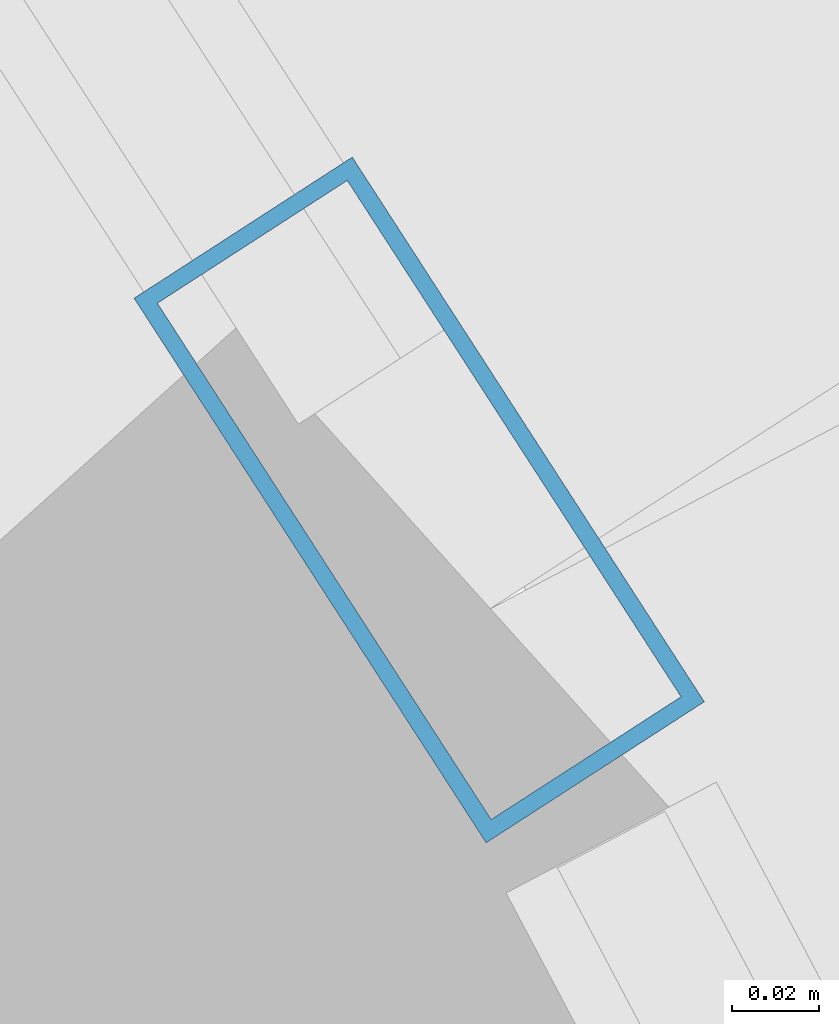
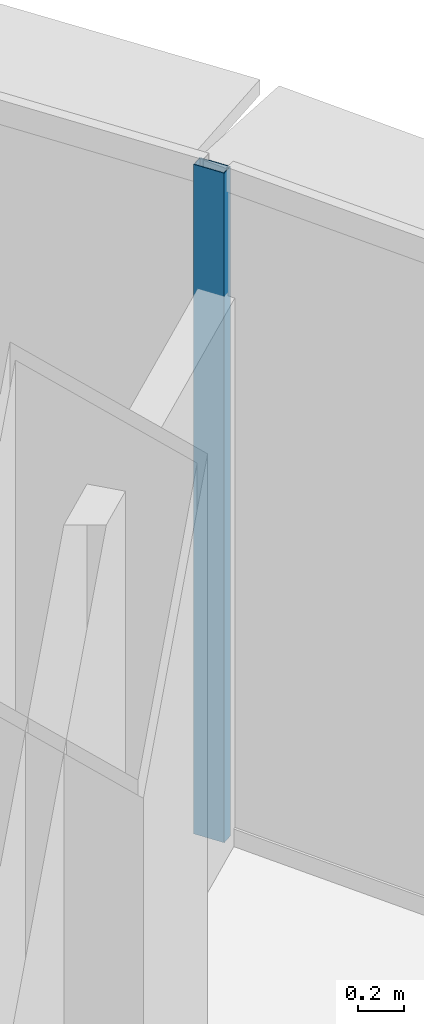
# One storey, part 20 of 37: 1 member, 1 element without a shape of its own.
"""IFC4 building model written with IfcOpenShell, lengths in metres."""

from ifc_helpers import new_model, si_unit, direction, frame, origin, origin_2d, place, context, subcontext, project, spatial, hollow_rectangle, extrude, source, transform, mapped, material, layer, layer_set, material_profile, profile_set, type_object, element, aggregate, save


model = new_model("IFC4")

# Units and contexts
model_context = context("Model", 3, precision=1e-05, world=origin(), true_north=direction((0.0, 1.0)))
body_context = subcontext(model_context, "Body", "Model", "MODEL_VIEW")
ifc_project = project(units=[si_unit("LENGTHUNIT", "METRE"), si_unit("AREAUNIT", "SQUARE_METRE"), si_unit("VOLUMEUNIT", "CUBIC_METRE"), si_unit("PLANEANGLEUNIT", "RADIAN"), si_unit("MASSUNIT", "GRAM", prefix="KILO"), si_unit("THERMODYNAMICTEMPERATUREUNIT", "KELVIN"), si_unit("POWERUNIT", "WATT")], contexts=[model_context])

# Site, building, storey
site_placement = place(None, origin())
site = spatial("IfcSite", under=ifc_project, at=site_placement, CompositionType="ELEMENT")
building_placement = place(site_placement, origin())
building = spatial("IfcBuilding", under=site, at=building_placement, Name="Yunzhuo Pagoda Commons", CompositionType="ELEMENT")
storey_placement = place(building_placement, frame((0.0, 0.0, 199.9599609375)))
storey = spatial("IfcBuildingStorey", under=building, at=storey_placement, Name="L50", CompositionType="ELEMENT", Elevation=199.9599609375)

# Curtain wall, member
ifc_material = material(Name="Anodized aluminium 6063-T6", Category="aluminium")
ifc_layer = layer(ifc_material, 0.14990234375)
ifc_layer_set = layer_set([ifc_layer], Name="Anodized aluminium 6063-T6")
curtain_wall_type = type_object("IfcCurtainWallType", Name="CW-MID Mid-Zone Ribbon Curtain Wall", PredefinedType="NOTDEFINED", material=ifc_layer_set)
curtain_wall_placement = place(storey_placement, origin())
curtain_wall = element("IfcCurtainWall", 1, at=curtain_wall_placement, inside=storey, type_object=curtain_wall_type, Name="L50 curtain wall CW-L50-F2B4", PredefinedType="NOTDEFINED")
ifc_material_profile = material_profile(ifc_material, hollow_rectangle(XDim=0.06005859375, YDim=0.14990234375, WallThickness=0.00390625, at=origin_2d()), Name="Anodized aluminium 6063-T6")
ifc_profile_set = profile_set([ifc_material_profile], Name="Anodized aluminium 6063-T6")
member_type = type_object("IfcMemberType", Name="CW-MID-M Mullion RHS 150x60x4", PredefinedType="MULLION", material=ifc_profile_set)
shared_shape = source(origin(), body_context, "Body", "SweptSolid", [
    extrude(hollow_rectangle(XDim=0.06005859375, YDim=0.14990234375, WallThickness=0.00390625, at=origin_2d()), origin(), (0.0, 0.0, 1.0), 3.5400390625),
])
member_placement = place(storey_placement, frame((72.10791015625, 55.44677734375, 0.0), z_axis=(0.0, 0.0, 1.0), x_axis=(-0.839794048542, -0.542905107761, 0.0)))
member = element("IfcMember", 2, at=member_placement, type_object=member_type, Name="CW mullion 1", PredefinedType="MULLION", context=body_context, shape_type="MappedRepresentation", body=[
    mapped(shared_shape, transform((0.0, 0.0, 0.0), scale=1.0)),
])
aggregate(curtain_wall, [member])

save(model, "model.ifc")
